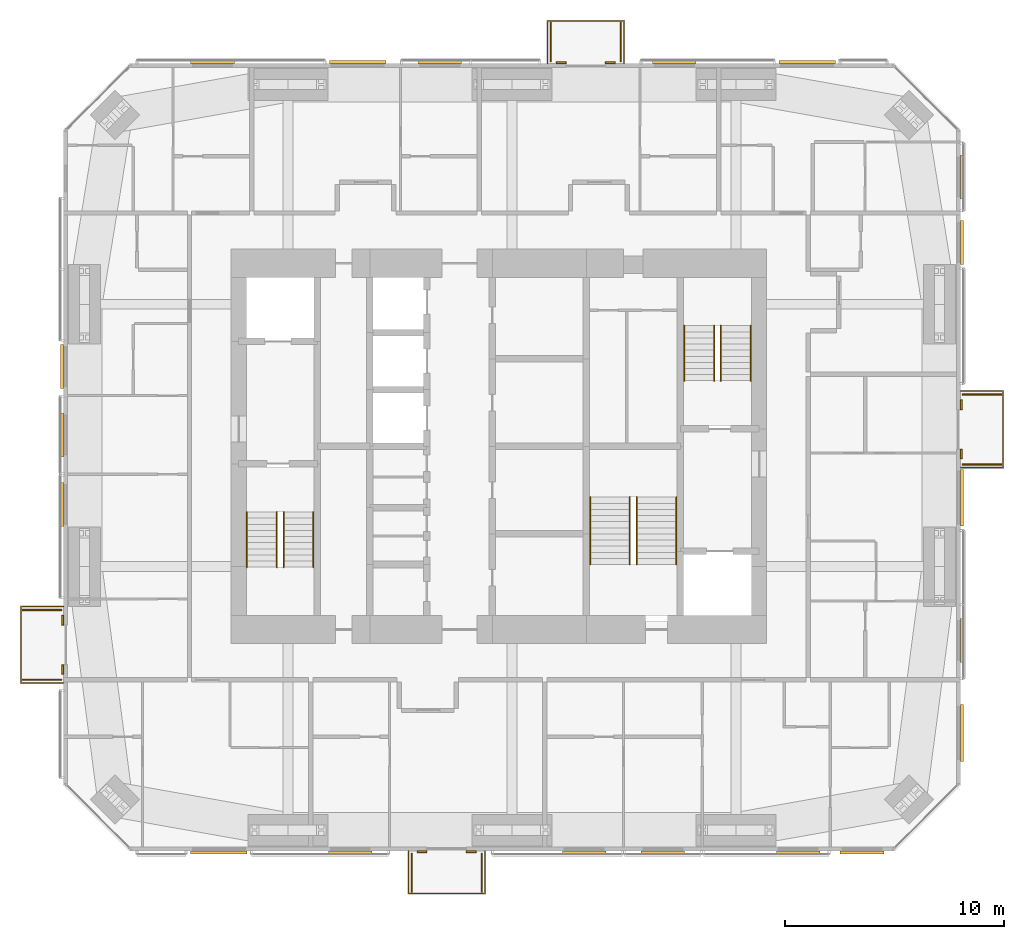
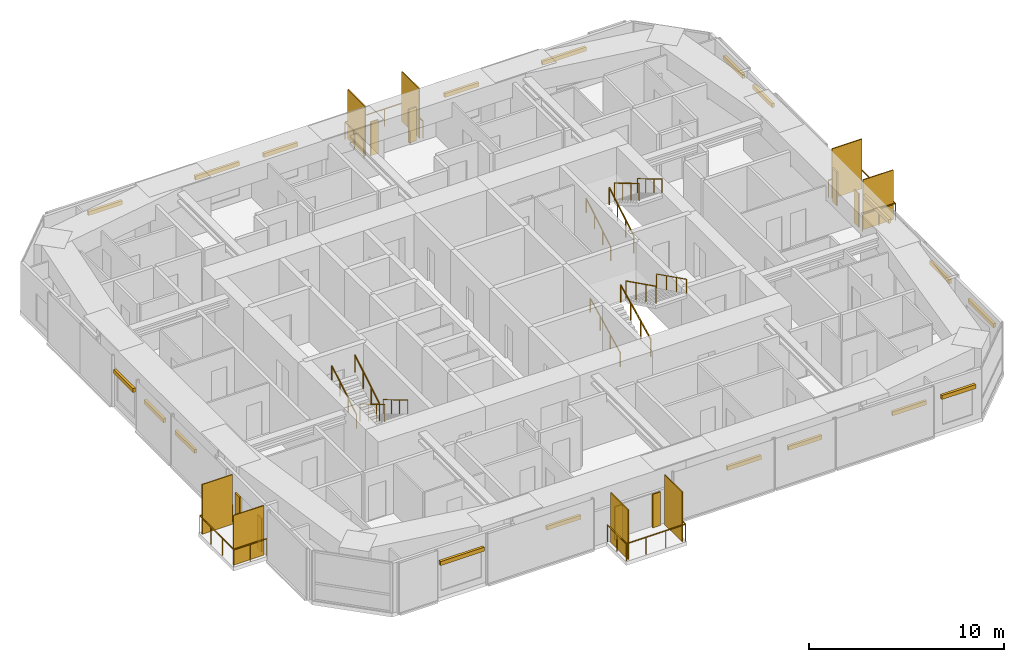
# One storey, part 23 of 23: 35 shading devices, 16 railings.
"""IFC4 building model written with IfcOpenShell, lengths in metres."""

import ifcopenshell
import ifcopenshell.guid

model = None  # the IFC model being written
_history = None  # IfcOwnerHistory: only IFC2X3 demands one
_inside = {}  # id of a spatial element -> (the spatial element, [elements in it])
_under = {}  # id of a project, library or spatial element -> (it, [spatial elements below it])
_declared = {}  # id of a project -> (the project, [libraries it declares])
_typed = {}  # id of a type object -> (the type object, [elements of that type])
_made_of = {}  # id of a material, layer set ... -> (it, [elements and type objects made of it])


def new_model(schema):
    """Start an empty IFC model of exactly this schema.

    Asked for "IFC4X3", IfcOpenShell would pick the latest addendum, in which some entities
    have other attributes; the version numbers below select the first issue.
    IFC2X3 requires an IfcOwnerHistory on every rooted entity: one is made here for all.
    """
    global model, _history
    if schema == "IFC4X3":
        model = ifcopenshell.file(schema_version=(4, 3, 0, 0))
    else:
        model = ifcopenshell.file(schema=schema)
    _inside.clear()
    _under.clear()
    _declared.clear()
    _typed.clear()
    _made_of.clear()
    _history = None
    if model.schema == "IFC2X3":
        org = make("IfcOrganization", Name="unknown")
        user = make(
            "IfcPersonAndOrganization",
            ThePerson=make("IfcPerson", FamilyName="unknown"),
            TheOrganization=org,
        )
        app = make(
            "IfcApplication",
            ApplicationDeveloper=org,
            Version="unknown",
            ApplicationFullName="unknown",
            ApplicationIdentifier="unknown",
        )
        _history = make(
            "IfcOwnerHistory",
            OwningUser=user,
            OwningApplication=app,
            ChangeAction="ADDED",
            CreationDate=0,
        )
    return model


def make(cls, **values):
    """One entity of the class cls with the attributes given. An attribute that is None is left unset."""
    return model.create_entity(
        cls, **{name: value for name, value in values.items() if value is not None}
    )


def rooted(cls, **values):
    """An entity with a GlobalId (a new one), such as an element, a storey or a relation."""
    return make(cls, GlobalId=ifcopenshell.guid.new(), OwnerHistory=_history, **values)


def si_unit(unit_type, name, prefix=None):
    """IfcSIUnit, for example si_unit("LENGTHUNIT", "METRE", prefix="MILLI")."""
    return make("IfcSIUnit", UnitType=unit_type, Prefix=prefix, Name=name)


def assignment(units):
    """IfcUnitAssignment: the units of a project."""
    return None if units is None else make("IfcUnitAssignment", Units=units)


def point(xyz):
    """IfcCartesianPoint."""
    return None if xyz is None else make("IfcCartesianPoint", Coordinates=xyz)


def direction(xyz):
    """IfcDirection."""
    return None if xyz is None else make("IfcDirection", DirectionRatios=xyz)


def frame(location, z_axis=None, x_axis=None):
    """IfcAxis2Placement3D, a coordinate frame: its origin and axes. An axis left out is left unset."""
    return make(
        "IfcAxis2Placement3D",
        Location=point(location),
        Axis=direction(z_axis),
        RefDirection=direction(x_axis),
    )


def frame_2d(location, x_axis=None):
    """IfcAxis2Placement2D, a coordinate frame in the plane: its origin and x axis."""
    return make(
        "IfcAxis2Placement2D", Location=point(location), RefDirection=direction(x_axis)
    )


def origin():
    """The frame at (0, 0, 0) with its axes left unset."""
    return frame((0.0, 0.0, 0.0))


def origin_2d():
    """The frame at (0, 0) in the plane with its x axis left unset."""
    return frame_2d((0.0, 0.0))


def place(relative_to, where):
    """IfcLocalPlacement: puts the frame where relative to a parent placement (None: the world)."""
    return make(
        "IfcLocalPlacement", PlacementRelTo=relative_to, RelativePlacement=where
    )


def context(
    kind, dimensions, precision=None, world=None, true_north=None, identifier=None
):
    """IfcGeometricRepresentationContext, for example the 3D "Model" context."""
    return make(
        "IfcGeometricRepresentationContext",
        ContextIdentifier=identifier,
        ContextType=kind,
        CoordinateSpaceDimension=dimensions,
        Precision=precision,
        WorldCoordinateSystem=world,
        TrueNorth=true_north,
    )


def subcontext(parent, identifier, kind, view, scale=None):
    """IfcGeometricRepresentationSubContext, for example "Body" below "Model"."""
    return make(
        "IfcGeometricRepresentationSubContext",
        ContextIdentifier=identifier,
        ContextType=kind,
        ParentContext=parent,
        TargetScale=scale,
        TargetView=view,
    )


def project(units=None, contexts=None):
    """IfcProject with its units and contexts."""
    return rooted(
        "IfcProject",
        Name="project",
        RepresentationContexts=contexts,
        UnitsInContext=assignment(units),
    )


def spatial(cls, under=None, at=None, **own):
    """A site, building, storey or space (cls), placed at a placement, below another one or the project."""
    s = rooted(cls, ObjectPlacement=at, **own)
    if under is not None:
        _under.setdefault(under.id(), (under, []))[1].append(s)
    return s


def profile(cls, at=None, kind="AREA", **sizes):
    """A parametric profile (cls). Its sizes go by their IFC names, for example OverallWidth=200.0."""
    return make(cls, ProfileType=kind, Position=at, **sizes)


def rectangle(**sizes):
    """IfcRectangleProfileDef."""
    return profile("IfcRectangleProfileDef", **sizes)


def circle(**sizes):
    """IfcCircleProfileDef."""
    return profile("IfcCircleProfileDef", **sizes)


def extrude(swept, where, along, depth):
    """IfcExtrudedAreaSolid: the profile swept, set in the frame where, extruded along a direction by depth."""
    return make(
        "IfcExtrudedAreaSolid",
        SweptArea=swept,
        Position=where,
        ExtrudedDirection=direction(along),
        Depth=depth,
    )


def shape(context_of_items, identifier, shape_type, items):
    """IfcShapeRepresentation: the items that make up one representation, for example the "Body"."""
    return make(
        "IfcShapeRepresentation",
        ContextOfItems=context_of_items,
        RepresentationIdentifier=identifier,
        RepresentationType=shape_type,
        Items=items,
    )


def material(Name=None, Category=None):
    """IfcMaterial."""
    return make("IfcMaterial", Name=Name, Category=Category)


def layer(
    of_material, thickness, ventilated=None, Name=None, Category=None, Priority=None
):
    """IfcMaterialLayer: one layer of a wall or slab, of a material (None: an air gap)."""
    return make(
        "IfcMaterialLayer",
        Material=of_material,
        LayerThickness=thickness,
        IsVentilated=ventilated,
        Name=Name,
        Category=Category,
        Priority=Priority,
    )


def layer_set(layers, Name=None):
    """IfcMaterialLayerSet."""
    return make("IfcMaterialLayerSet", MaterialLayers=layers, LayerSetName=Name)


def constituent(of_material, Name=None, Category=None, fraction=None):
    """IfcMaterialConstituent: one of the materials an element consists of."""
    return make(
        "IfcMaterialConstituent",
        Name=Name,
        Material=of_material,
        Fraction=fraction,
        Category=Category,
    )


def constituent_set(constituents=None, Name=None):
    """IfcMaterialConstituentSet."""
    return make(
        "IfcMaterialConstituentSet", Name=Name, MaterialConstituents=constituents
    )


def made_of(thing, what):
    """Note that an element or type object is made of a material, layer set ...; save() writes the relation."""
    if what is not None:
        _made_of.setdefault(what.id(), (what, []))[1].append(thing)
    return thing


def type_object(cls, material=None, **own):
    """A type object (cls), such as IfcWallType, which elements share."""
    return made_of(rooted(cls, **own), material)


def element(
    cls,
    number,
    at=None,
    inside=None,
    cuts=None,
    type_object=None,
    material=None,
    context=None,
    identifier="Body",
    shape_type=None,
    held_by="IfcProductDefinitionShape",
    body=None,
    shapes=None,
    **own,
):
    """One element of the class cls, such as IfcWall. Its Tag is "e" and its number.

    at: its placement. inside: the storey or other place that contains it. cuts: it is an
    opening in that element (IfcRelVoidsElement). A single representation is given by context,
    identifier, shape_type and body (its items); several are given by shapes. held_by: the class
    of the entity that holds the representations. save() writes the other relations.
    """
    e = rooted(cls, Tag="e%d" % number, ObjectPlacement=at, **own)
    if body is not None:
        shapes = [shape(context, identifier, shape_type, body)]
    if shapes is not None:
        e.Representation = make(held_by, Representations=shapes)
    if inside is not None:
        _inside.setdefault(inside.id(), (inside, []))[1].append(e)
    if cuts is not None:
        rooted(
            "IfcRelVoidsElement", RelatingBuildingElement=cuts, RelatedOpeningElement=e
        )
    if type_object is not None:
        _typed.setdefault(type_object.id(), (type_object, []))[1].append(e)
    return made_of(e, material)


def aggregate(whole, parts):
    """IfcRelAggregates: a whole, such as a stair, and the parts it consists of."""
    return rooted("IfcRelAggregates", RelatingObject=whole, RelatedObjects=parts)


def save(model, path):
    """Write the relations noted so far, then the file.

    IfcRelAggregates (storeys below a building ...), IfcRelContainedInSpatialStructure (elements
    in a storey), IfcRelDefinesByType, IfcRelAssociatesMaterial and IfcRelDeclares: one each for
    every whole, place, type object, material and project.
    """
    for whole, parts in _under.values():
        aggregate(whole, parts)
    for where, things in _inside.values():
        rooted(
            "IfcRelContainedInSpatialStructure",
            RelatedElements=things,
            RelatingStructure=where,
        )
    for kind, things in _typed.values():
        rooted("IfcRelDefinesByType", RelatedObjects=things, RelatingType=kind)
    for what, things in _made_of.values():
        rooted("IfcRelAssociatesMaterial", RelatedObjects=things, RelatingMaterial=what)
    for by, libraries in _declared.values():
        rooted("IfcRelDeclares", RelatingContext=by, RelatedDefinitions=libraries)
    model.write(path)


model = new_model("IFC4")

# Units and contexts
model_context = context("Model", 3, precision=1e-05, world=origin(), true_north=direction((0.0, 1.0)))
body_context = subcontext(model_context, "Body", "Model", "MODEL_VIEW")
ifc_project = project(units=[si_unit("LENGTHUNIT", "METRE"), si_unit("AREAUNIT", "SQUARE_METRE"), si_unit("VOLUMEUNIT", "CUBIC_METRE"), si_unit("PLANEANGLEUNIT", "RADIAN"), si_unit("MASSUNIT", "GRAM", prefix="KILO")], contexts=[model_context])

# Site, building, storey
site_placement = place(None, origin())
site = spatial("IfcSite", under=ifc_project, at=site_placement, CompositionType="ELEMENT")
building_placement = place(site_placement, origin())
building = spatial("IfcBuilding", under=site, at=building_placement, Name="Jalousie Tower", CompositionType="ELEMENT")
storey_placement = place(building_placement, frame((0.0, 0.0, 191.199951171875)))
storey = spatial("IfcBuildingStorey", under=building, at=storey_placement, Name="L52", CompositionType="ELEMENT", Elevation=191.199951171875)

# Shading devices
ifc_material_1 = material(Name="Aluminium impact-rated louvred storm shutter", Category="aluminium")
shading_device_type_1 = type_object("IfcShadingDeviceType", Name="BI-FOLD STORM SHUTTER 900x2100", PredefinedType="SHUTTER", material=ifc_material_1)
for number, where, z_axis, x_axis, name in (
    (1, (28.387451171875, -0.0400390625, 0.0), (0.0, 0.0, 1.0), (1.0, 0.0, 0.0), "Balcony storm shutter L52"),
    (2, (30.637451171875, -0.0400390625, 0.0), (0.0, 0.0, 1.0), (1.0, 0.0, 0.0), "Balcony storm shutter L52"),
    (3, (53.0400390625, 18.14990234375, 0.0), (0.0, 0.0, 1.0), (0.0, 1.0, 0.0), "Balcony storm shutter L52"),
    (4, (53.0400390625, 20.39990234375, 0.0), (0.0, 0.0, 1.0), (0.0, 1.0, 0.0), "Balcony storm shutter L52"),
    (5, (37.0, 36.0400390625, 0.0), (0.0, 0.0, 1.0), (-1.0, 0.0, 0.0), "Balcony storm shutter L52"),
    (6, (34.75, 36.0400390625, 0.0), (0.0, 0.0, 1.0), (-1.0, 0.0, 0.0), "Balcony storm shutter L52"),
    (7, (11.9599609375, 10.550048828125, 0.0), (0.0, 0.0, 1.0), (0.0, -1.0, 0.0), "Balcony storm shutter L52"),
    (8, (11.9599609375, 8.300048828125, 0.0), (0.0, 0.0, 1.0), (0.0, -1.0, 0.0), "Balcony storm shutter L52"),
):
    element("IfcShadingDevice", number, at=place(storey_placement, frame(where, z_axis=z_axis, x_axis=x_axis)), inside=storey, type_object=shading_device_type_1, Name=name, PredefinedType="SHUTTER", context=body_context, shape_type="SweptSolid", body=[
        extrude(rectangle(XDim=0.449951171875, YDim=0.080078125, at=origin_2d()), origin(), (0.0, 0.0, 1.0), 2.10009765625),
    ])

# Railings
ifc_material_2 = material(Name="Powder-coated aluminium fretwork", Category="aluminium")
railing_type_1 = type_object("IfcRailingType", Name="FRETWORK BALUSTRADE 1100", PredefinedType="BALUSTRADE", material=ifc_material_2)
railing_1_placement = place(storey_placement, frame((27.762451171875, 0.0, 0.0)))
element("IfcRailing", 9, at=railing_1_placement, inside=storey, type_object=railing_type_1, Name="Balcony fretwork balustrade L52", PredefinedType="BALUSTRADE", context=body_context, shape_type="SweptSolid", body=[
    extrude(rectangle(XDim=0.048095703125, YDim=0.048095703125, at=origin_2d()), frame((0.0, 0.0, 1.076171875), z_axis=(0.0, -1.0, 0.0), x_axis=(1.0, 0.0, 0.0)), (0.0, 0.0, 1.0), 1.949951171875),
    extrude(rectangle(XDim=0.048095703125, YDim=0.048095703125, at=origin_2d()), frame((0.0, -1.949951171875, 1.076171875), z_axis=(1.0, 0.0, 0.0), x_axis=(0.0, 1.0, 0.0)), (0.0, 0.0, 1.0), 3.5),
    extrude(rectangle(XDim=0.048095703125, YDim=0.048095703125, at=origin_2d()), frame((3.5, -1.949951171875, 1.076171875), z_axis=(0.0, 1.0, 0.0), x_axis=(-1.0, 0.0, 0.0)), (0.0, 0.0, 1.0), 1.949951171875),
    extrude(circle(Radius=0.02099609375, at=origin_2d()), origin(), (0.0, 0.0, 1.0), 1.052001953125),
    extrude(circle(Radius=0.02099609375, at=origin_2d()), frame((0.0, -0.97509765625, 0.0)), (0.0, 0.0, 1.0), 1.052001953125),
    extrude(circle(Radius=0.02099609375, at=origin_2d()), frame((0.0, -1.949951171875, 0.0)), (0.0, 0.0, 1.0), 1.052001953125),
    extrude(circle(Radius=0.02099609375, at=origin_2d()), frame((1.166748046875, -1.949951171875, 0.0)), (0.0, 0.0, 1.0), 1.052001953125),
    extrude(circle(Radius=0.02099609375, at=origin_2d()), frame((2.333251953125, -1.949951171875, 0.0)), (0.0, 0.0, 1.0), 1.052001953125),
    extrude(circle(Radius=0.02099609375, at=origin_2d()), frame((3.5, -1.949951171875, 0.0)), (0.0, 0.0, 1.0), 1.052001953125),
    extrude(circle(Radius=0.02099609375, at=origin_2d()), frame((3.5, -0.97509765625, 0.0)), (0.0, 0.0, 1.0), 1.052001953125),
    extrude(circle(Radius=0.02099609375, at=origin_2d()), frame((3.5, 0.0, 0.0)), (0.0, 0.0, 1.0), 1.052001953125),
])
railing_2_placement = place(storey_placement, frame((53.0, 17.52490234375, 0.0)))
element("IfcRailing", 10, at=railing_2_placement, inside=storey, type_object=railing_type_1, Name="Balcony fretwork balustrade L52", PredefinedType="BALUSTRADE", context=body_context, shape_type="SweptSolid", body=[
    extrude(rectangle(XDim=0.048095703125, YDim=0.048095703125, at=origin_2d()), frame((0.0, 0.0, 1.076171875), z_axis=(1.0, 0.0, 0.0), x_axis=(0.0, 1.0, 0.0)), (0.0, 0.0, 1.0), 1.949951171875),
    extrude(rectangle(XDim=0.048095703125, YDim=0.048095703125, at=origin_2d()), frame((1.949951171875, 0.0, 1.076171875), z_axis=(0.0, 1.0, 0.0), x_axis=(-1.0, 0.0, 0.0)), (0.0, 0.0, 1.0), 3.5),
    extrude(rectangle(XDim=0.048095703125, YDim=0.048095703125, at=origin_2d()), frame((1.949951171875, 3.5, 1.076171875), z_axis=(-1.0, 0.0, 0.0), x_axis=(0.0, -1.0, 0.0)), (0.0, 0.0, 1.0), 1.949951171875),
    extrude(circle(Radius=0.02099609375, at=origin_2d()), origin(), (0.0, 0.0, 1.0), 1.052001953125),
    extrude(circle(Radius=0.02099609375, at=origin_2d()), frame((0.97509765625, 0.0, 0.0)), (0.0, 0.0, 1.0), 1.052001953125),
    extrude(circle(Radius=0.02099609375, at=origin_2d()), frame((1.949951171875, 0.0, 0.0)), (0.0, 0.0, 1.0), 1.052001953125),
    extrude(circle(Radius=0.02099609375, at=origin_2d()), frame((1.949951171875, 1.166748046875, 0.0)), (0.0, 0.0, 1.0), 1.052001953125),
    extrude(circle(Radius=0.02099609375, at=origin_2d()), frame((1.949951171875, 2.333251953125, 0.0)), (0.0, 0.0, 1.0), 1.052001953125),
    extrude(circle(Radius=0.02099609375, at=origin_2d()), frame((1.949951171875, 3.5, 0.0)), (0.0, 0.0, 1.0), 1.052001953125),
    extrude(circle(Radius=0.02099609375, at=origin_2d()), frame((0.97509765625, 3.5, 0.0)), (0.0, 0.0, 1.0), 1.052001953125),
    extrude(circle(Radius=0.02099609375, at=origin_2d()), frame((0.0, 3.5, 0.0)), (0.0, 0.0, 1.0), 1.052001953125),
])
railing_3_placement = place(storey_placement, frame((37.625, 36.0, 0.0)))
element("IfcRailing", 11, at=railing_3_placement, inside=storey, type_object=railing_type_1, Name="Balcony fretwork balustrade L52", PredefinedType="BALUSTRADE", context=body_context, shape_type="SweptSolid", body=[
    extrude(rectangle(XDim=0.048095703125, YDim=0.048095703125, at=origin_2d()), frame((0.0, 0.0, 1.076171875), z_axis=(0.0, 1.0, 0.0), x_axis=(-1.0, 0.0, 0.0)), (0.0, 0.0, 1.0), 1.949951171875),
    extrude(rectangle(XDim=0.048095703125, YDim=0.048095703125, at=origin_2d()), frame((0.0, 1.949951171875, 1.076171875), z_axis=(-1.0, 0.0, 0.0), x_axis=(0.0, -1.0, 0.0)), (0.0, 0.0, 1.0), 3.5),
    extrude(rectangle(XDim=0.048095703125, YDim=0.048095703125, at=origin_2d()), frame((-3.5, 1.949951171875, 1.076171875), z_axis=(0.0, -1.0, 0.0), x_axis=(1.0, 0.0, 0.0)), (0.0, 0.0, 1.0), 1.949951171875),
    extrude(circle(Radius=0.02099609375, at=origin_2d()), origin(), (0.0, 0.0, 1.0), 1.052001953125),
    extrude(circle(Radius=0.02099609375, at=origin_2d()), frame((0.0, 0.97509765625, 0.0)), (0.0, 0.0, 1.0), 1.052001953125),
    extrude(circle(Radius=0.02099609375, at=origin_2d()), frame((0.0, 1.949951171875, 0.0)), (0.0, 0.0, 1.0), 1.052001953125),
    extrude(circle(Radius=0.02099609375, at=origin_2d()), frame((-1.166748046875, 1.949951171875, 0.0)), (0.0, 0.0, 1.0), 1.052001953125),
    extrude(circle(Radius=0.02099609375, at=origin_2d()), frame((-2.333251953125, 1.949951171875, 0.0)), (0.0, 0.0, 1.0), 1.052001953125),
    extrude(circle(Radius=0.02099609375, at=origin_2d()), frame((-3.5, 1.949951171875, 0.0)), (0.0, 0.0, 1.0), 1.052001953125),
    extrude(circle(Radius=0.02099609375, at=origin_2d()), frame((-3.5, 0.97509765625, 0.0)), (0.0, 0.0, 1.0), 1.052001953125),
    extrude(circle(Radius=0.02099609375, at=origin_2d()), frame((-3.5, 0.0, 0.0)), (0.0, 0.0, 1.0), 1.052001953125),
])
railing_4_placement = place(storey_placement, frame((12.0, 11.175048828125, 0.0)))
element("IfcRailing", 12, at=railing_4_placement, inside=storey, type_object=railing_type_1, Name="Balcony fretwork balustrade L52", PredefinedType="BALUSTRADE", context=body_context, shape_type="SweptSolid", body=[
    extrude(rectangle(XDim=0.048095703125, YDim=0.048095703125, at=origin_2d()), frame((0.0, 0.0, 1.076171875), z_axis=(-1.0, 0.0, 0.0), x_axis=(0.0, -1.0, 0.0)), (0.0, 0.0, 1.0), 1.949951171875),
    extrude(rectangle(XDim=0.048095703125, YDim=0.048095703125, at=origin_2d()), frame((-1.949951171875, 0.0, 1.076171875), z_axis=(0.0, -1.0, 0.0), x_axis=(1.0, 0.0, 0.0)), (0.0, 0.0, 1.0), 3.5),
    extrude(rectangle(XDim=0.048095703125, YDim=0.048095703125, at=origin_2d()), frame((-1.949951171875, -3.5, 1.076171875), z_axis=(1.0, 0.0, 0.0), x_axis=(0.0, 1.0, 0.0)), (0.0, 0.0, 1.0), 1.949951171875),
    extrude(circle(Radius=0.02099609375, at=origin_2d()), origin(), (0.0, 0.0, 1.0), 1.052001953125),
    extrude(circle(Radius=0.02099609375, at=origin_2d()), frame((-0.97509765625, 0.0, 0.0)), (0.0, 0.0, 1.0), 1.052001953125),
    extrude(circle(Radius=0.02099609375, at=origin_2d()), frame((-1.949951171875, 0.0, 0.0)), (0.0, 0.0, 1.0), 1.052001953125),
    extrude(circle(Radius=0.02099609375, at=origin_2d()), frame((-1.949951171875, -1.166748046875, 0.0)), (0.0, 0.0, 1.0), 1.052001953125),
    extrude(circle(Radius=0.02099609375, at=origin_2d()), frame((-1.949951171875, -2.333251953125, 0.0)), (0.0, 0.0, 1.0), 1.052001953125),
    extrude(circle(Radius=0.02099609375, at=origin_2d()), frame((-1.949951171875, -3.5, 0.0)), (0.0, 0.0, 1.0), 1.052001953125),
    extrude(circle(Radius=0.02099609375, at=origin_2d()), frame((-0.97509765625, -3.5, 0.0)), (0.0, 0.0, 1.0), 1.052001953125),
    extrude(circle(Radius=0.02099609375, at=origin_2d()), frame((0.0, -3.5, 0.0)), (0.0, 0.0, 1.0), 1.052001953125),
])

# Shading devices
ifc_material_3 = material(Name="Powder-coated aluminium louvres", Category="aluminium")
ifc_layer = layer(ifc_material_3, 0.06005859375)
ifc_layer_set = layer_set([ifc_layer], Name="Powder-coated aluminium louvres")
shading_device_type_2 = type_object("IfcShadingDeviceType", Name="JALOUSIE LOUVRE SCREEN", PredefinedType="JALOUSIE", material=ifc_layer_set)
for number, where, z_axis, x_axis, name in (
    (13, (27.91259765625, -1.0, 0.0), (0.0, 0.0, 1.0), (1.0, 0.0, 0.0), "Jalousie louvre screen L52"),
    (14, (31.112548828125, -1.0, 0.0), (0.0, 0.0, 1.0), (1.0, 0.0, 0.0), "Jalousie louvre screen L52"),
    (15, (54.0, 17.675048828125, 0.0), (0.0, 0.0, 1.0), (0.0, 1.0, 0.0), "Jalousie louvre screen L52"),
    (16, (54.0, 20.875, 0.0), (0.0, 0.0, 1.0), (0.0, 1.0, 0.0), "Jalousie louvre screen L52"),
    (17, (37.47509765625, 37.0, 0.0), (0.0, 0.0, 1.0), (-1.0, 0.0, 0.0), "Jalousie louvre screen L52"),
    (18, (34.27490234375, 37.0, 0.0), (0.0, 0.0, 1.0), (-1.0, 0.0, 0.0), "Jalousie louvre screen L52"),
    (19, (11.0, 11.02490234375, 0.0), (0.0, 0.0, 1.0), (0.0, -1.0, 0.0), "Jalousie louvre screen L52"),
    (20, (11.0, 7.824951171875, 0.0), (0.0, 0.0, 1.0), (0.0, -1.0, 0.0), "Jalousie louvre screen L52"),
):
    element("IfcShadingDevice", number, at=place(storey_placement, frame(where, z_axis=z_axis, x_axis=x_axis)), inside=storey, type_object=shading_device_type_2, Name=name, PredefinedType="JALOUSIE", context=body_context, shape_type="SweptSolid", body=[
        extrude(rectangle(XDim=0.06005859375, YDim=1.800048828125, at=origin_2d()), origin(), (0.0, 0.0, 1.0), 3.110107421875),
    ])

# Railings
ifc_material_4 = material(Name="Steel ASTM A500 Grade C", Category="steel")
ifc_constituent_1 = constituent(ifc_material_4, Name="Body")
ifc_material_5 = material(Name="Hot-dip galvanised zinc coating")
ifc_constituent_2 = constituent(ifc_material_5, Name="Finish")
ifc_constituent_set_1 = constituent_set(constituents=[ifc_constituent_1, ifc_constituent_2])
railing_type_2 = type_object("IfcRailingType", Name="STAIR GUARD 1100", PredefinedType="GUARDRAIL", material=ifc_constituent_set_1)
railing_5_placement = place(storey_placement, frame((22.054931640625, 15.49755859375, 0.16748046875)))
element("IfcRailing", 21, at=railing_5_placement, inside=storey, type_object=railing_type_2, Name="Exit stair A guard L52 flight 1", PredefinedType="GUARDRAIL", context=body_context, shape_type="SweptSolid", body=[
    extrude(rectangle(XDim=0.048095703125, YDim=0.048095703125, at=origin_2d()), frame((0.0, 0.0, 1.076171875), z_axis=(0.0, -0.858159760407, 0.513382728203), x_axis=(1.0, 0.0, 0.0)), (0.0, 0.0, 1.0), 2.9365234375),
    extrude(circle(Radius=0.02099609375, at=origin_2d()), origin(), (0.0, 0.0, 1.0), 1.052001953125),
    extrude(circle(Radius=0.02099609375, at=origin_2d()), frame((0.0, -0.840087890625, 0.50244140625)), (0.0, 0.0, 1.0), 1.052001953125),
    extrude(circle(Radius=0.02099609375, at=origin_2d()), frame((0.0, -1.679931640625, 1.005126953125)), (0.0, 0.0, 1.0), 1.052001953125),
    extrude(circle(Radius=0.02099609375, at=origin_2d()), frame((0.0, -2.52001953125, 1.507568359375)), (0.0, 0.0, 1.0), 1.052001953125),
])
for number, where, name in (
    (22, (21.7451171875, 12.9775390625, 1.842529296875), "Exit stair A guard L52 flight 2"),
    (23, (41.7451171875, 21.50244140625, 0.16748046875), "Exit stair B guard L52 flight 1"),
):
    element("IfcRailing", number, at=place(storey_placement, frame(where)), inside=storey, type_object=railing_type_2, Name=name, PredefinedType="GUARDRAIL", context=body_context, shape_type="SweptSolid", body=[
        extrude(rectangle(XDim=0.048095703125, YDim=0.048095703125, at=origin_2d()), frame((0.0, 0.0, 1.076171875), z_axis=(0.0, 0.858159760407, 0.513382728203), x_axis=(-1.0, 0.0, 0.0)), (0.0, 0.0, 1.0), 2.9365234375),
        extrude(circle(Radius=0.02099609375, at=origin_2d()), origin(), (0.0, 0.0, 1.0), 1.052001953125),
        extrude(circle(Radius=0.02099609375, at=origin_2d()), frame((0.0, 0.840087890625, 0.50244140625)), (0.0, 0.0, 1.0), 1.052001953125),
        extrude(circle(Radius=0.02099609375, at=origin_2d()), frame((0.0, 1.679931640625, 1.005126953125)), (0.0, 0.0, 1.0), 1.052001953125),
        extrude(circle(Radius=0.02099609375, at=origin_2d()), frame((0.0, 2.52001953125, 1.507568359375)), (0.0, 0.0, 1.0), 1.052001953125),
    ])
railing_6_placement = place(storey_placement, frame((42.054931640625, 24.0224609375, 1.842529296875)))
element("IfcRailing", 24, at=railing_6_placement, inside=storey, type_object=railing_type_2, Name="Exit stair B guard L52 flight 2", PredefinedType="GUARDRAIL", context=body_context, shape_type="SweptSolid", body=[
    extrude(rectangle(XDim=0.048095703125, YDim=0.048095703125, at=origin_2d()), frame((0.0, 0.0, 1.076171875), z_axis=(0.0, -0.858159760407, 0.513382728203), x_axis=(1.0, 0.0, 0.0)), (0.0, 0.0, 1.0), 2.9365234375),
    extrude(circle(Radius=0.02099609375, at=origin_2d()), origin(), (0.0, 0.0, 1.0), 1.052001953125),
    extrude(circle(Radius=0.02099609375, at=origin_2d()), frame((0.0, -0.840087890625, 0.50244140625)), (0.0, 0.0, 1.0), 1.052001953125),
    extrude(circle(Radius=0.02099609375, at=origin_2d()), frame((0.0, -1.679931640625, 1.005126953125)), (0.0, 0.0, 1.0), 1.052001953125),
    extrude(circle(Radius=0.02099609375, at=origin_2d()), frame((0.0, -2.52001953125, 1.507568359375)), (0.0, 0.0, 1.0), 1.052001953125),
])
railing_7_placement = place(storey_placement, frame((37.89501953125, 13.097412109375, 0.1396484375)))
element("IfcRailing", 25, at=railing_7_placement, inside=storey, type_object=railing_type_2, Name="Exit stair C guard L52 flight 1", PredefinedType="GUARDRAIL", context=body_context, shape_type="SweptSolid", body=[
    extrude(rectangle(XDim=0.048095703125, YDim=0.048095703125, at=origin_2d()), frame((0.0, 0.0, 1.076171875), z_axis=(0.0, 0.894965676997, 0.446134998624), x_axis=(-1.0, 0.0, 0.0)), (0.0, 0.0, 1.0), 3.441650390625),
    extrude(circle(Radius=0.02099609375, at=origin_2d()), origin(), (0.0, 0.0, 1.0), 1.052001953125),
    extrude(circle(Radius=0.02099609375, at=origin_2d()), frame((0.0, 1.026611328125, 0.51171875)), (0.0, 0.0, 1.0), 1.052001953125),
    extrude(circle(Radius=0.02099609375, at=origin_2d()), frame((0.0, 2.053466796875, 1.023681640625)), (0.0, 0.0, 1.0), 1.052001953125),
    extrude(circle(Radius=0.02099609375, at=origin_2d()), frame((0.0, 3.080078125, 1.535400390625)), (0.0, 0.0, 1.0), 1.052001953125),
])
railing_8_placement = place(storey_placement, frame((38.205078125, 16.177490234375, 1.814697265625)))
element("IfcRailing", 26, at=railing_8_placement, inside=storey, type_object=railing_type_2, Name="Exit stair C guard L52 flight 2", PredefinedType="GUARDRAIL", context=body_context, shape_type="SweptSolid", body=[
    extrude(rectangle(XDim=0.048095703125, YDim=0.048095703125, at=origin_2d()), frame((0.0, 0.0, 1.076171875), z_axis=(0.0, -0.894965676997, 0.446134998624), x_axis=(1.0, 0.0, 0.0)), (0.0, 0.0, 1.0), 3.441650390625),
    extrude(circle(Radius=0.02099609375, at=origin_2d()), origin(), (0.0, 0.0, 1.0), 1.052001953125),
    extrude(circle(Radius=0.02099609375, at=origin_2d()), frame((0.0, -1.026611328125, 0.51171875)), (0.0, 0.0, 1.0), 1.052001953125),
    extrude(circle(Radius=0.02099609375, at=origin_2d()), frame((0.0, -2.053466796875, 1.023681640625)), (0.0, 0.0, 1.0), 1.052001953125),
    extrude(circle(Radius=0.02099609375, at=origin_2d()), frame((0.0, -3.080078125, 1.535400390625)), (0.0, 0.0, 1.0), 1.052001953125),
])
ifc_material_6 = material(Name="Steel ASTM A500 Grade C", Category="steel")
ifc_constituent_3 = constituent(ifc_material_6, Name="Body")
ifc_material_7 = material(Name="Hot-dip galvanised zinc coating")
ifc_constituent_4 = constituent(ifc_material_7, Name="Finish")
ifc_constituent_set_2 = constituent_set(constituents=[ifc_constituent_3, ifc_constituent_4])
railing_type_3 = type_object("IfcRailingType", Name="STAIR HANDRAIL 900", PredefinedType="HANDRAIL", material=ifc_constituent_set_2)
railing_9_placement = place(storey_placement, frame((23.419921875, 15.49755859375, 0.16748046875)))
element("IfcRailing", 27, at=railing_9_placement, inside=storey, type_object=railing_type_3, Name="Exit stair A handrail L52 flight 1", PredefinedType="HANDRAIL", context=body_context, shape_type="SweptSolid", body=[
    extrude(circle(Radius=0.02392578125, at=origin_2d()), frame((0.0, 0.0, 0.8759765625), z_axis=(0.0, -0.858159760407, 0.513382728203), x_axis=(1.0, 0.0, 0.0)), (0.0, 0.0, 1.0), 2.9365234375),
    extrude(circle(Radius=0.02099609375, at=origin_2d()), origin(), (0.0, 0.0, 1.0), 0.851806640625),
    extrude(circle(Radius=0.02099609375, at=origin_2d()), frame((0.0, -0.840087890625, 0.50244140625)), (0.0, 0.0, 1.0), 0.851806640625),
    extrude(circle(Radius=0.02099609375, at=origin_2d()), frame((0.0, -1.679931640625, 1.005126953125)), (0.0, 0.0, 1.0), 0.851806640625),
    extrude(circle(Radius=0.02099609375, at=origin_2d()), frame((0.0, -2.52001953125, 1.507568359375)), (0.0, 0.0, 1.0), 0.851806640625),
])
for number, where, name in (
    (28, (20.3798828125, 12.9775390625, 1.842529296875), "Exit stair A handrail L52 flight 2"),
    (29, (40.3798828125, 21.50244140625, 0.16748046875), "Exit stair B handrail L52 flight 1"),
):
    element("IfcRailing", number, at=place(storey_placement, frame(where)), inside=storey, type_object=railing_type_3, Name=name, PredefinedType="HANDRAIL", context=body_context, shape_type="SweptSolid", body=[
        extrude(circle(Radius=0.02392578125, at=origin_2d()), frame((0.0, 0.0, 0.8759765625), z_axis=(0.0, 0.858159760407, 0.513382728203), x_axis=(-1.0, 0.0, 0.0)), (0.0, 0.0, 1.0), 2.9365234375),
        extrude(circle(Radius=0.02099609375, at=origin_2d()), origin(), (0.0, 0.0, 1.0), 0.851806640625),
        extrude(circle(Radius=0.02099609375, at=origin_2d()), frame((0.0, 0.840087890625, 0.50244140625)), (0.0, 0.0, 1.0), 0.851806640625),
        extrude(circle(Radius=0.02099609375, at=origin_2d()), frame((0.0, 1.679931640625, 1.005126953125)), (0.0, 0.0, 1.0), 0.851806640625),
        extrude(circle(Radius=0.02099609375, at=origin_2d()), frame((0.0, 2.52001953125, 1.507568359375)), (0.0, 0.0, 1.0), 0.851806640625),
    ])
railing_10_placement = place(storey_placement, frame((43.419921875, 24.0224609375, 1.842529296875)))
element("IfcRailing", 30, at=railing_10_placement, inside=storey, type_object=railing_type_3, Name="Exit stair B handrail L52 flight 2", PredefinedType="HANDRAIL", context=body_context, shape_type="SweptSolid", body=[
    extrude(circle(Radius=0.02392578125, at=origin_2d()), frame((0.0, 0.0, 0.8759765625), z_axis=(0.0, -0.858159760407, 0.513382728203), x_axis=(1.0, 0.0, 0.0)), (0.0, 0.0, 1.0), 2.9365234375),
    extrude(circle(Radius=0.02099609375, at=origin_2d()), origin(), (0.0, 0.0, 1.0), 0.851806640625),
    extrude(circle(Radius=0.02099609375, at=origin_2d()), frame((0.0, -0.840087890625, 0.50244140625)), (0.0, 0.0, 1.0), 0.851806640625),
    extrude(circle(Radius=0.02099609375, at=origin_2d()), frame((0.0, -1.679931640625, 1.005126953125)), (0.0, 0.0, 1.0), 0.851806640625),
    extrude(circle(Radius=0.02099609375, at=origin_2d()), frame((0.0, -2.52001953125, 1.507568359375)), (0.0, 0.0, 1.0), 0.851806640625),
])
railing_11_placement = place(storey_placement, frame((36.080078125, 13.097412109375, 0.1396484375)))
element("IfcRailing", 31, at=railing_11_placement, inside=storey, type_object=railing_type_3, Name="Exit stair C handrail L52 flight 1", PredefinedType="HANDRAIL", context=body_context, shape_type="SweptSolid", body=[
    extrude(circle(Radius=0.02392578125, at=origin_2d()), frame((0.0, 0.0, 0.8759765625), z_axis=(0.0, 0.894965676997, 0.446134998624), x_axis=(-1.0, 0.0, 0.0)), (0.0, 0.0, 1.0), 3.441650390625),
    extrude(circle(Radius=0.02099609375, at=origin_2d()), origin(), (0.0, 0.0, 1.0), 0.851806640625),
    extrude(circle(Radius=0.02099609375, at=origin_2d()), frame((0.0, 1.026611328125, 0.51171875)), (0.0, 0.0, 1.0), 0.851806640625),
    extrude(circle(Radius=0.02099609375, at=origin_2d()), frame((0.0, 2.053466796875, 1.023681640625)), (0.0, 0.0, 1.0), 0.851806640625),
    extrude(circle(Radius=0.02099609375, at=origin_2d()), frame((0.0, 3.080078125, 1.535400390625)), (0.0, 0.0, 1.0), 0.851806640625),
])
railing_12_placement = place(storey_placement, frame((40.02001953125, 16.177490234375, 1.814697265625)))
element("IfcRailing", 32, at=railing_12_placement, inside=storey, type_object=railing_type_3, Name="Exit stair C handrail L52 flight 2", PredefinedType="HANDRAIL", context=body_context, shape_type="SweptSolid", body=[
    extrude(circle(Radius=0.02392578125, at=origin_2d()), frame((0.0, 0.0, 0.8759765625), z_axis=(0.0, -0.894965676997, 0.446134998624), x_axis=(1.0, 0.0, 0.0)), (0.0, 0.0, 1.0), 3.441650390625),
    extrude(circle(Radius=0.02099609375, at=origin_2d()), origin(), (0.0, 0.0, 1.0), 0.851806640625),
    extrude(circle(Radius=0.02099609375, at=origin_2d()), frame((0.0, -1.026611328125, 0.51171875)), (0.0, 0.0, 1.0), 0.851806640625),
    extrude(circle(Radius=0.02099609375, at=origin_2d()), frame((0.0, -2.053466796875, 1.023681640625)), (0.0, 0.0, 1.0), 0.851806640625),
    extrude(circle(Radius=0.02099609375, at=origin_2d()), frame((0.0, -3.080078125, 1.535400390625)), (0.0, 0.0, 1.0), 0.851806640625),
])

# Shading devices
ifc_material_8 = material(Name="Aluminium roller storm shutter", Category="aluminium")
shading_device_type_3 = type_object("IfcShadingDeviceType", Name="STORM SHUTTER HOUSING", PredefinedType="SHUTTER", material=ifc_material_8)
shading_device_1_placement = place(storey_placement, frame((19.09130859375, -0.074951171875, 2.10009765625), z_axis=(0.0, 0.0, 1.0), x_axis=(1.0, 0.0, 0.0)))
element("IfcShadingDevice", 33, at=shading_device_1_placement, inside=storey, type_object=shading_device_type_3, Name="Storm shutter L52", PredefinedType="SHUTTER", context=body_context, shape_type="SweptSolid", body=[
    extrude(rectangle(XDim=2.60009765625, YDim=0.14990234375, at=origin_2d()), origin(), (0.0, 0.0, 1.0), 0.25),
])
for number, where, z_axis, x_axis, name in (
    (34, (25.10009765625, -0.074951171875, 2.10009765625), (0.0, 0.0, 1.0), (1.0, 0.0, 0.0), "Storm shutter L52"),
    (35, (35.800048828125, -0.074951171875, 2.10009765625), (0.0, 0.0, 1.0), (1.0, 0.0, 0.0), "Storm shutter L52"),
    (36, (39.39990234375, -0.074951171875, 2.10009765625), (0.0, 0.0, 1.0), (1.0, 0.0, 0.0), "Storm shutter L52"),
    (37, (45.58740234375, -0.074951171875, 2.10009765625), (0.0, 0.0, 1.0), (1.0, 0.0, 0.0), "Storm shutter L52"),
    (38, (48.510986328125, -0.074951171875, 2.10009765625), (0.0, 0.0, 1.0), (1.0, 0.0, 0.0), "Storm shutter L52"),
):
    element("IfcShadingDevice", number, at=place(storey_placement, frame(where, z_axis=z_axis, x_axis=x_axis)), inside=storey, type_object=shading_device_type_3, Name=name, PredefinedType="SHUTTER", context=body_context, shape_type="SweptSolid", body=[
        extrude(rectangle(XDim=2.0, YDim=0.14990234375, at=origin_2d()), origin(), (0.0, 0.0, 1.0), 0.25),
    ])
shading_device_2_placement = place(storey_placement, frame((53.074951171875, 5.38818359375, 2.10009765625), z_axis=(0.0, 0.0, 1.0), x_axis=(0.0, 1.0, 0.0)))
element("IfcShadingDevice", 39, at=shading_device_2_placement, inside=storey, type_object=shading_device_type_3, Name="Storm shutter L52", PredefinedType="SHUTTER", context=body_context, shape_type="SweptSolid", body=[
    extrude(rectangle(XDim=2.60009765625, YDim=0.14990234375, at=origin_2d()), origin(), (0.0, 0.0, 1.0), 0.25),
])
shading_device_3_placement = place(storey_placement, frame((53.074951171875, 9.625, 2.10009765625), z_axis=(0.0, 0.0, 1.0), x_axis=(0.0, 1.0, 0.0)))
element("IfcShadingDevice", 40, at=shading_device_3_placement, inside=storey, type_object=shading_device_type_3, Name="Storm shutter L52", PredefinedType="SHUTTER", context=body_context, shape_type="SweptSolid", body=[
    extrude(rectangle(XDim=2.0, YDim=0.14990234375, at=origin_2d()), origin(), (0.0, 0.0, 1.0), 0.25),
])
shading_device_4_placement = place(storey_placement, frame((53.074951171875, 16.153076171875, 2.10009765625), z_axis=(0.0, 0.0, 1.0), x_axis=(0.0, 1.0, 0.0)))
element("IfcShadingDevice", 41, at=shading_device_4_placement, inside=storey, type_object=shading_device_type_3, Name="Storm shutter L52", PredefinedType="SHUTTER", context=body_context, shape_type="SweptSolid", body=[
    extrude(rectangle(XDim=2.60009765625, YDim=0.14990234375, at=origin_2d()), origin(), (0.0, 0.0, 1.0), 0.25),
])
for number, where, z_axis, x_axis, name in (
    (42, (53.074951171875, 27.824951171875, 2.10009765625), (0.0, 0.0, 1.0), (0.0, 1.0, 0.0), "Storm shutter L52"),
    (43, (53.074951171875, 30.822509765625, 2.10009765625), (0.0, 0.0, 1.0), (0.0, 1.0, 0.0), "Storm shutter L52"),
):
    element("IfcShadingDevice", number, at=place(storey_placement, frame(where, z_axis=z_axis, x_axis=x_axis)), inside=storey, type_object=shading_device_type_3, Name=name, PredefinedType="SHUTTER", context=body_context, shape_type="SweptSolid", body=[
        extrude(rectangle(XDim=2.0, YDim=0.14990234375, at=origin_2d()), origin(), (0.0, 0.0, 1.0), 0.25),
    ])
shading_device_5_placement = place(storey_placement, frame((45.99951171875, 36.074951171875, 2.10009765625), z_axis=(0.0, 0.0, 1.0), x_axis=(-1.0, 0.0, 0.0)))
element("IfcShadingDevice", 44, at=shading_device_5_placement, inside=storey, type_object=shading_device_type_3, Name="Storm shutter L52", PredefinedType="SHUTTER", context=body_context, shape_type="SweptSolid", body=[
    extrude(rectangle(XDim=2.60009765625, YDim=0.14990234375, at=origin_2d()), origin(), (0.0, 0.0, 1.0), 0.25),
])
for number, where, z_axis, x_axis, name in (
    (45, (39.925048828125, 36.074951171875, 2.10009765625), (0.0, 0.0, 1.0), (-1.0, 0.0, 0.0), "Storm shutter L52"),
    (46, (29.199951171875, 36.074951171875, 2.10009765625), (0.0, 0.0, 1.0), (-1.0, 0.0, 0.0), "Storm shutter L52"),
):
    element("IfcShadingDevice", number, at=place(storey_placement, frame(where, z_axis=z_axis, x_axis=x_axis)), inside=storey, type_object=shading_device_type_3, Name=name, PredefinedType="SHUTTER", context=body_context, shape_type="SweptSolid", body=[
        extrude(rectangle(XDim=2.0, YDim=0.14990234375, at=origin_2d()), origin(), (0.0, 0.0, 1.0), 0.25),
    ])
shading_device_6_placement = place(storey_placement, frame((25.445068359375, 36.074951171875, 2.10009765625), z_axis=(0.0, 0.0, 1.0), x_axis=(-1.0, 0.0, 0.0)))
element("IfcShadingDevice", 47, at=shading_device_6_placement, inside=storey, type_object=shading_device_type_3, Name="Storm shutter L52", PredefinedType="SHUTTER", context=body_context, shape_type="SweptSolid", body=[
    extrude(rectangle(XDim=2.60009765625, YDim=0.14990234375, at=origin_2d()), origin(), (0.0, 0.0, 1.0), 0.25),
])
for number, where, z_axis, x_axis, name in (
    (48, (18.800048828125, 36.074951171875, 2.10009765625), (0.0, 0.0, 1.0), (-1.0, 0.0, 0.0), "Storm shutter L52"),
    (49, (11.925048828125, 22.150146484375, 2.10009765625), (0.0, 0.0, 1.0), (0.0, -1.0, 0.0), "Storm shutter L52"),
    (50, (11.925048828125, 19.02490234375, 2.10009765625), (0.0, 0.0, 1.0), (0.0, -1.0, 0.0), "Storm shutter L52"),
    (51, (11.925048828125, 15.847412109375, 2.10009765625), (0.0, 0.0, 1.0), (0.0, -1.0, 0.0), "Storm shutter L52"),
):
    element("IfcShadingDevice", number, at=place(storey_placement, frame(where, z_axis=z_axis, x_axis=x_axis)), inside=storey, type_object=shading_device_type_3, Name=name, PredefinedType="SHUTTER", context=body_context, shape_type="SweptSolid", body=[
        extrude(rectangle(XDim=2.0, YDim=0.14990234375, at=origin_2d()), origin(), (0.0, 0.0, 1.0), 0.25),
    ])

save(model, "model.ifc")
